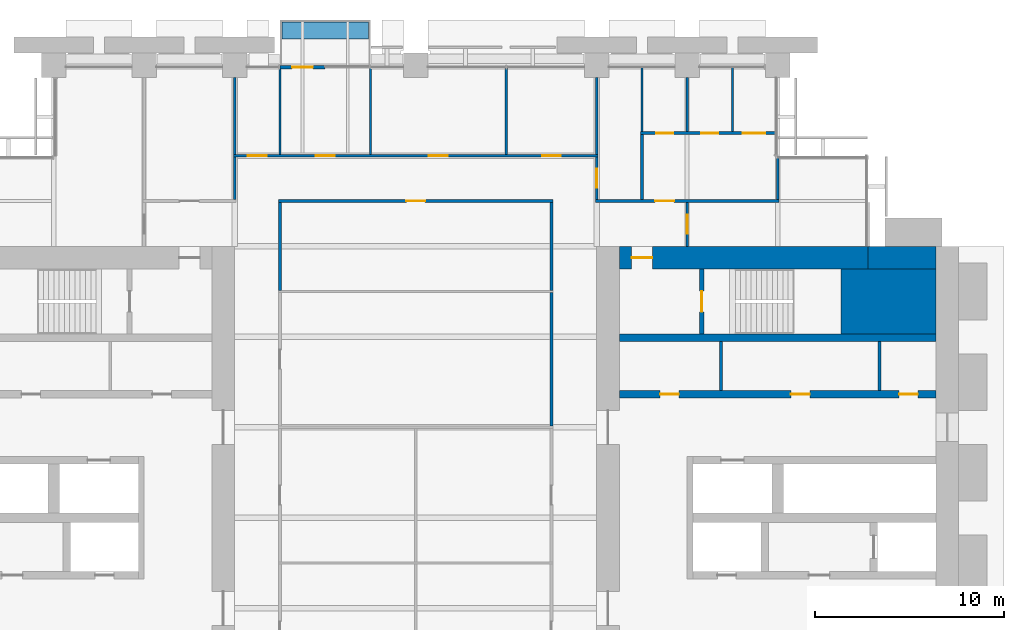
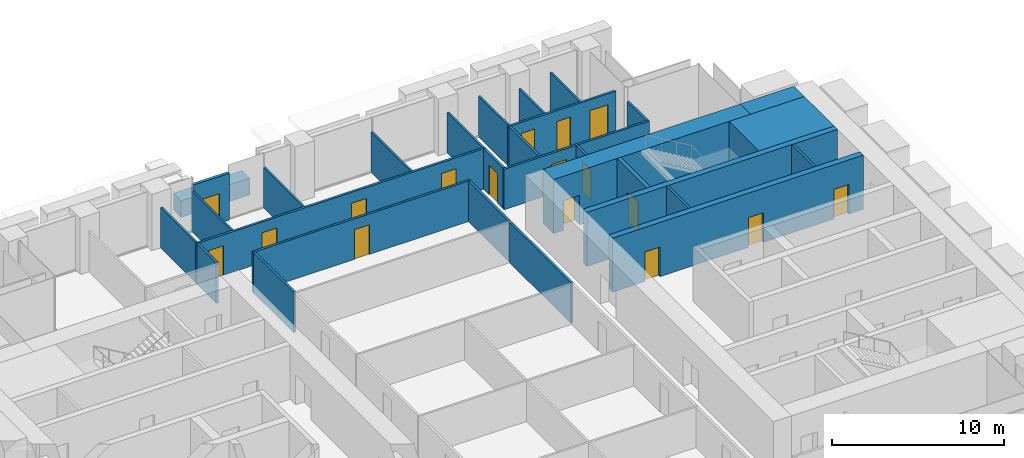
# One storey, part 12 of 15: 30 walls, 17 doors, 17 openings.
"""IFC4 building model written with IfcOpenShell, lengths in metres."""

from ifc_helpers import new_model, si_unit, direction, frame, frame_2d, origin, place, context, subcontext, project, spatial, rectangle, extrude, material, layer, layer_set, type_object, element, fill, save


model = new_model("IFC4")

# Units and contexts
model_context = context("Model", 3, precision=1e-05, world=origin(), true_north=direction((0.0, 1.0)))
body_context = subcontext(model_context, "Body", "Model", "MODEL_VIEW")
ifc_project = project(units=[si_unit("LENGTHUNIT", "METRE"), si_unit("AREAUNIT", "SQUARE_METRE"), si_unit("VOLUMEUNIT", "CUBIC_METRE"), si_unit("PLANEANGLEUNIT", "RADIAN"), si_unit("MASSUNIT", "GRAM", prefix="KILO")], contexts=[model_context])

# Site, building, storey
site_placement = place(None, origin())
site = spatial("IfcSite", under=ifc_project, at=site_placement, CompositionType="ELEMENT")
building_placement = place(site_placement, origin())
building = spatial("IfcBuilding", under=site, at=building_placement, Name="Baori Bourse Tower", CompositionType="ELEMENT")
storey_placement = place(building_placement, frame((0.0, 0.0, 71.0)))
storey = spatial("IfcBuildingStorey", under=building, at=storey_placement, Name="L15", CompositionType="ELEMENT", Elevation=71.0)

# Walls
ifc_material_1 = material(Name="Concrete f'c 70 MPa", Category="concrete")
wall_type_1 = type_object("IfcWallType", Name="Core corner block f'c 70", PredefinedType="SHEAR", material=ifc_material_1)
wall_1_placement = place(storey_placement, frame((51.35009765625, 35.47509765625, 0.0), z_axis=(0.0, 0.0, 1.0), x_axis=(1.0, 0.0, 0.0)))
element("IfcWall", 1, at=wall_1_placement, inside=storey, type_object=wall_type_1, Name="Core wall E21", PredefinedType="SHEAR", context=body_context, shape_type="SweptSolid", body=[
    extrude(rectangle(XDim=5.0498046875, YDim=3.449951171875, at=frame_2d((2.52490234375, 0.0))), origin(), (0.0, 0.0, 1.0), 3.840087890625),
])
ifc_material_2 = material(Name="Blockwork partition", Category="masonry")
ifc_layer_1 = layer(ifc_material_2, 0.14990234375)
ifc_layer_set_1 = layer_set([ifc_layer_1], Name="Core partition 150")
wall_type_2 = type_object("IfcWallType", Name="Core partition 150", PredefinedType="PARTITIONING", material=ifc_layer_set_1)
for number, where, z_axis, x_axis, name in (
    (2, (53.39990234375, 30.75, 0.0), (0.0, 0.0, 1.0), (0.0, 1.0, 0.0), "Partition wall E18"),
    (3, (45.0, 30.75, 0.0), (0.0, 0.0, 1.0), (0.0, 1.0, 0.0), "Partition wall E19"),
):
    element("IfcWall", number, at=place(storey_placement, frame(where, z_axis=z_axis, x_axis=x_axis)), inside=storey, type_object=wall_type_2, Name=name, PredefinedType="PARTITIONING", context=body_context, shape_type="SweptSolid", body=[
        extrude(rectangle(XDim=2.60009765625, YDim=0.14990234375, at=frame_2d((1.300048828125, 0.0))), origin(), (0.0, 0.0, 1.0), 3.840087890625),
    ])
ifc_material_3 = material(Name="Concrete f'c 70 MPa", Category="concrete")
ifc_layer_2 = layer(ifc_material_3, 1.199951171875)
ifc_layer_set_2 = layer_set([ifc_layer_2], Name="Core wall 1200 f'c 70")
wall_type_3 = type_object("IfcWallType", Name="Core wall 1200 f'c 70", PredefinedType="SHEAR", material=ifc_layer_set_2)
wall_2_placement = place(storey_placement, frame((52.800048828125, 37.800048828125, 0.0), z_axis=(0.0, 0.0, 1.0), x_axis=(1.0, 0.0, 0.0)))
element("IfcWall", 4, at=wall_2_placement, inside=storey, type_object=wall_type_3, Name="Core wall E23", PredefinedType="SHEAR", context=body_context, shape_type="SweptSolid", body=[
    extrude(rectangle(XDim=3.599853515625, YDim=1.199951171875, at=frame_2d((1.7998046875, 0.0))), origin(), (0.0, 0.0, 1.0), 3.840087890625),
])

# Wall, opening, door
wall_3_placement = place(storey_placement, frame((39.60009765625, 37.800048828125, 0.0), z_axis=(0.0, 0.0, 1.0), x_axis=(1.0, 0.0, 0.0)))
wall_3 = element("IfcWall", 5, at=wall_3_placement, inside=storey, type_object=wall_type_3, Name="Core wall E24", PredefinedType="SHEAR", context=body_context, shape_type="SweptSolid", body=[
    extrude(rectangle(XDim=13.199951171875, YDim=1.199951171875, at=frame_2d((6.60009765625, 0.0))), origin(), (0.0, 0.0, 1.0), 3.840087890625),
])
opening_1_placement = place(wall_3_placement, frame((0.64990234375, 0.0, 0.0)))
opening_1 = element("IfcOpeningElement", 6, at=opening_1_placement, cuts=wall_3, Name="Opening L15-D204", PredefinedType="OPENING", context=body_context, shape_type="SweptSolid", body=[
    extrude(rectangle(XDim=1.10009765625, YDim=2.10009765625, at=frame_2d((0.550048828125, 1.050048828125))), frame((0.0, 0.60986328125, 0.0), z_axis=(0.0, -1.0, 0.0), x_axis=(1.0, 0.0, 0.0)), (0.0, 0.0, 1.0), 1.219970703125),
])
ifc_material_4 = material(Name="Painted steel door", Category="steel")
door_type_1 = type_object("IfcDoorType", Name="Stair door 1100", OperationType="SINGLE_SWING_LEFT", PredefinedType="DOOR", material=ifc_material_4)
door_1_placement = place(opening_1_placement, origin())
door_1 = element("IfcDoor", 7, at=door_1_placement, inside=storey, type_object=door_type_1, Name="Stair vestibule door B E L15", OperationType="SINGLE_SWING_LEFT", OverallHeight=2.10009765625, OverallWidth=1.10009765625, PredefinedType="DOOR", context=body_context, shape_type="SweptSolid", body=[
    extrude(rectangle(XDim=1.10009765625, YDim=2.10009765625, at=frame_2d((0.550048828125, 1.050048828125))), frame((0.0, 0.02490234375, 0.0), z_axis=(0.0, -1.0, 0.0), x_axis=(1.0, 0.0, 0.0)), (0.0, 0.0, 1.0), 0.050048828125),
])
fill(opening_1, door_1)

ifc_material_5 = material(Name="Gypsum board partition")
ifc_layer_3 = layer(ifc_material_5, 0.14990234375)
ifc_layer_set_3 = layer_set([ifc_layer_3], Name="Corridor partition 150")
wall_type_4 = type_object("IfcWallType", Name="Corridor partition 150", PredefinedType="PARTITIONING", material=ifc_layer_set_3)
wall_4_placement = place(storey_placement, frame((21.52490234375, 40.800048828125, 0.0), z_axis=(0.0, 0.0, 1.0), x_axis=(1.0, 0.0, 0.0)))
wall_4 = element("IfcWall", 8, at=wall_4_placement, inside=storey, type_object=wall_type_4, Name="Partition", PredefinedType="PARTITIONING", context=body_context, shape_type="SweptSolid", body=[
    extrude(rectangle(XDim=14.550048828125, YDim=0.14990234375, at=frame_2d((7.27490234375, 0.0))), origin(), (0.0, 0.0, 1.0), 2.86962890625),
])
opening_2_placement = place(wall_4_placement, frame((6.77490234375, 0.0, 0.0)))
opening_2 = element("IfcOpeningElement", 9, at=opening_2_placement, cuts=wall_4, Name="Opening L15-D08", PredefinedType="OPENING", context=body_context, shape_type="SweptSolid", body=[
    extrude(rectangle(XDim=1.0, YDim=2.10009765625, at=frame_2d((0.5, 1.050048828125))), frame((0.0, 0.0849609375, 0.0), z_axis=(0.0, -1.0, 0.0), x_axis=(1.0, 0.0, 0.0)), (0.0, 0.0, 1.0), 0.169921875),
])
ifc_material_6 = material(Name="Timber door leaf", Category="wood")
door_type_2 = type_object("IfcDoorType", Name="Door 1000 x 2100", OperationType="SINGLE_SWING_LEFT", PredefinedType="DOOR", material=ifc_material_6)
door_2_placement = place(opening_2_placement, origin())
door_2 = element("IfcDoor", 10, at=door_2_placement, inside=storey, type_object=door_type_2, Name="Door", OperationType="SINGLE_SWING_LEFT", OverallHeight=2.10009765625, OverallWidth=1.0, PredefinedType="DOOR", context=body_context, shape_type="SweptSolid", body=[
    extrude(rectangle(XDim=1.0, YDim=2.10009765625, at=frame_2d((0.5, 1.050048828125))), frame((0.0, 0.02490234375, 0.0), z_axis=(0.0, -1.0, 0.0), x_axis=(1.0, 0.0, 0.0)), (0.0, 0.0, 1.0), 0.050048828125),
])
fill(opening_2, door_2)

wall_5_placement = place(storey_placement, frame((38.324951171875, 40.800048828125, 0.0), z_axis=(0.0, 0.0, 1.0), x_axis=(1.0, 0.0, 0.0)))
wall_5 = element("IfcWall", 11, at=wall_5_placement, inside=storey, type_object=wall_type_4, Name="Partition", PredefinedType="PARTITIONING", context=body_context, shape_type="SweptSolid", body=[
    extrude(rectangle(XDim=9.75, YDim=0.14990234375, at=frame_2d((4.875, 0.0))), origin(), (0.0, 0.0, 1.0), 2.86962890625),
])
opening_3_placement = place(wall_5_placement, frame((3.175048828125, 0.0, 0.0)))
opening_3 = element("IfcOpeningElement", 12, at=opening_3_placement, cuts=wall_5, Name="Opening L15-D09", PredefinedType="OPENING", context=body_context, shape_type="SweptSolid", body=[
    extrude(rectangle(XDim=1.0, YDim=2.10009765625, at=frame_2d((0.5, 1.050048828125))), frame((0.0, 0.0849609375, 0.0), z_axis=(0.0, -1.0, 0.0), x_axis=(1.0, 0.0, 0.0)), (0.0, 0.0, 1.0), 0.169921875),
])
door_3_placement = place(opening_3_placement, origin())
door_3 = element("IfcDoor", 13, at=door_3_placement, inside=storey, type_object=door_type_2, Name="Door", OperationType="SINGLE_SWING_LEFT", OverallHeight=2.10009765625, OverallWidth=1.0, PredefinedType="DOOR", context=body_context, shape_type="SweptSolid", body=[
    extrude(rectangle(XDim=1.0, YDim=2.10009765625, at=frame_2d((0.5, 1.050048828125))), frame((0.0, 0.02490234375, 0.0), z_axis=(0.0, -1.0, 0.0), x_axis=(1.0, 0.0, 0.0)), (0.0, 0.0, 1.0), 0.050048828125),
])
fill(opening_3, door_3)

# Wall, openings, doors
wall_6_placement = place(storey_placement, frame((19.125, 43.199951171875, 0.0), z_axis=(0.0, 0.0, 1.0), x_axis=(1.0, 0.0, 0.0)))
wall_6 = element("IfcWall", 14, at=wall_6_placement, inside=storey, type_object=wall_type_4, Name="Partition", PredefinedType="PARTITIONING", context=body_context, shape_type="SweptSolid", body=[
    extrude(rectangle(XDim=19.35009765625, YDim=0.14990234375, at=frame_2d((9.675048828125, 0.0))), origin(), (0.0, 0.0, 1.0), 2.86962890625),
])
opening_4_placement = place(wall_6_placement, frame((0.77490234375, 0.0, 0.0)))
opening_4 = element("IfcOpeningElement", 15, at=opening_4_placement, cuts=wall_6, Name="Opening L15-D10", PredefinedType="OPENING", context=body_context, shape_type="SweptSolid", body=[
    extrude(rectangle(XDim=1.0, YDim=2.10009765625, at=frame_2d((0.5, 1.050048828125))), frame((0.0, 0.0849609375, 0.0), z_axis=(0.0, -1.0, 0.0), x_axis=(1.0, 0.0, 0.0)), (0.0, 0.0, 1.0), 0.169921875),
])
opening_5_placement = place(wall_6_placement, frame((4.375, 0.0, 0.0)))
opening_5 = element("IfcOpeningElement", 16, at=opening_5_placement, cuts=wall_6, Name="Opening L15-D11", PredefinedType="OPENING", context=body_context, shape_type="SweptSolid", body=[
    extrude(rectangle(XDim=1.0, YDim=2.10009765625, at=frame_2d((0.5, 1.050048828125))), frame((0.0, 0.0849609375, 0.0), z_axis=(0.0, -1.0, 0.0), x_axis=(1.0, 0.0, 0.0)), (0.0, 0.0, 1.0), 0.169921875),
])
opening_6_placement = place(wall_6_placement, frame((10.375, 0.0, 0.0)))
opening_6 = element("IfcOpeningElement", 17, at=opening_6_placement, cuts=wall_6, Name="Opening L15-D12", PredefinedType="OPENING", context=body_context, shape_type="SweptSolid", body=[
    extrude(rectangle(XDim=1.0, YDim=2.10009765625, at=frame_2d((0.5, 1.050048828125))), frame((0.0, 0.0849609375, 0.0), z_axis=(0.0, -1.0, 0.0), x_axis=(1.0, 0.0, 0.0)), (0.0, 0.0, 1.0), 0.169921875),
])
opening_7_placement = place(wall_6_placement, frame((16.375, 0.0, 0.0)))
opening_7 = element("IfcOpeningElement", 18, at=opening_7_placement, cuts=wall_6, Name="Opening L15-D13", PredefinedType="OPENING", context=body_context, shape_type="SweptSolid", body=[
    extrude(rectangle(XDim=1.0, YDim=2.10009765625, at=frame_2d((0.5, 1.050048828125))), frame((0.0, 0.0849609375, 0.0), z_axis=(0.0, -1.0, 0.0), x_axis=(1.0, 0.0, 0.0)), (0.0, 0.0, 1.0), 0.169921875),
])
door_4_placement = place(opening_4_placement, origin())
door_4 = element("IfcDoor", 19, at=door_4_placement, inside=storey, type_object=door_type_2, Name="Door", OperationType="SINGLE_SWING_RIGHT", OverallHeight=2.10009765625, OverallWidth=1.0, PredefinedType="DOOR", context=body_context, shape_type="SweptSolid", body=[
    extrude(rectangle(XDim=1.0, YDim=2.10009765625, at=frame_2d((0.5, 1.050048828125))), frame((0.0, 0.02490234375, 0.0), z_axis=(0.0, -1.0, 0.0), x_axis=(1.0, 0.0, 0.0)), (0.0, 0.0, 1.0), 0.050048828125),
])
fill(opening_4, door_4)
door_5_placement = place(opening_5_placement, origin())
door_5 = element("IfcDoor", 20, at=door_5_placement, inside=storey, type_object=door_type_2, Name="Door", OperationType="SINGLE_SWING_RIGHT", OverallHeight=2.10009765625, OverallWidth=1.0, PredefinedType="DOOR", context=body_context, shape_type="SweptSolid", body=[
    extrude(rectangle(XDim=1.0, YDim=2.10009765625, at=frame_2d((0.5, 1.050048828125))), frame((0.0, 0.02490234375, 0.0), z_axis=(0.0, -1.0, 0.0), x_axis=(1.0, 0.0, 0.0)), (0.0, 0.0, 1.0), 0.050048828125),
])
fill(opening_5, door_5)
door_6_placement = place(opening_6_placement, origin())
door_6 = element("IfcDoor", 21, at=door_6_placement, inside=storey, type_object=door_type_2, Name="Door", OperationType="SINGLE_SWING_LEFT", OverallHeight=2.10009765625, OverallWidth=1.0, PredefinedType="DOOR", context=body_context, shape_type="SweptSolid", body=[
    extrude(rectangle(XDim=1.0, YDim=2.10009765625, at=frame_2d((0.5, 1.050048828125))), frame((0.0, 0.02490234375, 0.0), z_axis=(0.0, -1.0, 0.0), x_axis=(1.0, 0.0, 0.0)), (0.0, 0.0, 1.0), 0.050048828125),
])
fill(opening_6, door_6)
door_7_placement = place(opening_7_placement, origin())
door_7 = element("IfcDoor", 22, at=door_7_placement, inside=storey, type_object=door_type_2, Name="Door", OperationType="SINGLE_SWING_LEFT", OverallHeight=2.10009765625, OverallWidth=1.0, PredefinedType="DOOR", context=body_context, shape_type="SweptSolid", body=[
    extrude(rectangle(XDim=1.0, YDim=2.10009765625, at=frame_2d((0.5, 1.050048828125))), frame((0.0, 0.02490234375, 0.0), z_axis=(0.0, -1.0, 0.0), x_axis=(1.0, 0.0, 0.0)), (0.0, 0.0, 1.0), 0.050048828125),
])
fill(opening_7, door_7)

wall_7_placement = place(storey_placement, frame((40.72509765625, 44.39990234375, 0.0), z_axis=(0.0, 0.0, 1.0), x_axis=(1.0, 0.0, 0.0)))
wall_7 = element("IfcWall", 23, at=wall_7_placement, inside=storey, type_object=wall_type_4, Name="Partition", PredefinedType="PARTITIONING", context=body_context, shape_type="SweptSolid", body=[
    extrude(rectangle(XDim=7.1748046875, YDim=0.14990234375, at=frame_2d((3.58740234375, 0.0))), origin(), (0.0, 0.0, 1.0), 2.86962890625),
])
opening_8_placement = place(wall_7_placement, frame((0.824951171875, 0.0, 0.0)))
opening_8 = element("IfcOpeningElement", 24, at=opening_8_placement, cuts=wall_7, Name="Opening L15-D14", PredefinedType="OPENING", context=body_context, shape_type="SweptSolid", body=[
    extrude(rectangle(XDim=0.89990234375, YDim=2.10009765625, at=frame_2d((0.449951171875, 1.050048828125))), frame((0.0, 0.0849609375, 0.0), z_axis=(0.0, -1.0, 0.0), x_axis=(1.0, 0.0, 0.0)), (0.0, 0.0, 1.0), 0.169921875),
])
opening_9_placement = place(wall_7_placement, frame((3.22509765625, 0.0, 0.0)))
opening_9 = element("IfcOpeningElement", 25, at=opening_9_placement, cuts=wall_7, Name="Opening L15-D15", PredefinedType="OPENING", context=body_context, shape_type="SweptSolid", body=[
    extrude(rectangle(XDim=0.89990234375, YDim=2.10009765625, at=frame_2d((0.449951171875, 1.050048828125))), frame((0.0, 0.0849609375, 0.0), z_axis=(0.0, -1.0, 0.0), x_axis=(1.0, 0.0, 0.0)), (0.0, 0.0, 1.0), 0.169921875),
])
opening_10_placement = place(wall_7_placement, frame((5.425048828125, 0.0, 0.0)))
opening_10 = element("IfcOpeningElement", 26, at=opening_10_placement, cuts=wall_7, Name="Opening L15-D16", PredefinedType="OPENING", context=body_context, shape_type="SweptSolid", body=[
    extrude(rectangle(XDim=1.199951171875, YDim=2.10009765625, at=frame_2d((0.60009765625, 1.050048828125))), frame((0.0, 0.0849609375, 0.0), z_axis=(0.0, -1.0, 0.0), x_axis=(1.0, 0.0, 0.0)), (0.0, 0.0, 1.0), 0.169921875),
])
ifc_material_7 = material(Name="Timber door leaf", Category="wood")
door_type_3 = type_object("IfcDoorType", Name="Door 1200 x 2100", OperationType="SINGLE_SWING_LEFT", PredefinedType="DOOR", material=ifc_material_7)
door_8_placement = place(opening_10_placement, origin())
door_8 = element("IfcDoor", 27, at=door_8_placement, inside=storey, type_object=door_type_3, Name="Door", OperationType="SINGLE_SWING_LEFT", OverallHeight=2.10009765625, OverallWidth=1.199951171875, PredefinedType="DOOR", context=body_context, shape_type="SweptSolid", body=[
    extrude(rectangle(XDim=1.199951171875, YDim=2.10009765625, at=frame_2d((0.60009765625, 1.050048828125))), frame((0.0, 0.02490234375, 0.0), z_axis=(0.0, -1.0, 0.0), x_axis=(1.0, 0.0, 0.0)), (0.0, 0.0, 1.0), 0.050048828125),
])
fill(opening_10, door_8)
ifc_material_8 = material(Name="Timber door leaf", Category="wood")
door_type_4 = type_object("IfcDoorType", Name="Door 900 x 2100", OperationType="SINGLE_SWING_LEFT", PredefinedType="DOOR", material=ifc_material_8)
door_9_placement = place(opening_8_placement, origin())
door_9 = element("IfcDoor", 28, at=door_9_placement, inside=storey, type_object=door_type_4, Name="Door", OperationType="SINGLE_SWING_RIGHT", OverallHeight=2.10009765625, OverallWidth=0.89990234375, PredefinedType="DOOR", context=body_context, shape_type="SweptSolid", body=[
    extrude(rectangle(XDim=0.89990234375, YDim=2.10009765625, at=frame_2d((0.449951171875, 1.050048828125))), frame((0.0, 0.02490234375, 0.0), z_axis=(0.0, -1.0, 0.0), x_axis=(1.0, 0.0, 0.0)), (0.0, 0.0, 1.0), 0.050048828125),
])
fill(opening_8, door_9)
door_10_placement = place(opening_9_placement, origin())
door_10 = element("IfcDoor", 29, at=door_10_placement, inside=storey, type_object=door_type_4, Name="Door", OperationType="SINGLE_SWING_LEFT", OverallHeight=2.10009765625, OverallWidth=0.89990234375, PredefinedType="DOOR", context=body_context, shape_type="SweptSolid", body=[
    extrude(rectangle(XDim=0.89990234375, YDim=2.10009765625, at=frame_2d((0.449951171875, 1.050048828125))), frame((0.0, 0.02490234375, 0.0), z_axis=(0.0, -1.0, 0.0), x_axis=(1.0, 0.0, 0.0)), (0.0, 0.0, 1.0), 0.050048828125),
])
fill(opening_9, door_10)

# Walls
wall_8_placement = place(storey_placement, frame((19.199951171875, 40.875, 0.0), z_axis=(0.0, 0.0, 1.0), x_axis=(0.0, 1.0, 0.0)))
element("IfcWall", 30, at=wall_8_placement, inside=storey, type_object=wall_type_4, Name="Partition", PredefinedType="PARTITIONING", context=body_context, shape_type="SweptSolid", body=[
    extrude(rectangle(XDim=2.25, YDim=0.14990234375, at=frame_2d((1.125, 0.0))), origin(), (0.0, 0.0, 1.0), 2.86962890625),
])
wall_9_placement = place(storey_placement, frame((21.60009765625, 36.0625, 0.0), z_axis=(0.0, 0.0, 1.0), x_axis=(0.0, 1.0, 0.0)))
element("IfcWall", 31, at=wall_9_placement, inside=storey, type_object=wall_type_4, Name="Partition", PredefinedType="PARTITIONING", context=body_context, shape_type="SweptSolid", body=[
    extrude(rectangle(XDim=4.66259765625, YDim=0.14990234375, at=frame_2d((2.331298828125, 0.0))), origin(), (0.0, 0.0, 1.0), 2.86962890625),
])
wall_10_placement = place(storey_placement, frame((36.0, 28.862548828125, 0.0), z_axis=(0.0, 0.0, 1.0), x_axis=(0.0, 1.0, 0.0)))
element("IfcWall", 32, at=wall_10_placement, inside=storey, type_object=wall_type_4, Name="Partition", PredefinedType="PARTITIONING", context=body_context, shape_type="SweptSolid", body=[
    extrude(rectangle(XDim=7.074951171875, YDim=0.14990234375, at=frame_2d((3.53759765625, 0.0))), origin(), (0.0, 0.0, 1.0), 2.86962890625),
])
wall_11_placement = place(storey_placement, frame((36.0, 36.0625, 0.0), z_axis=(0.0, 0.0, 1.0), x_axis=(0.0, 1.0, 0.0)))
element("IfcWall", 33, at=wall_11_placement, inside=storey, type_object=wall_type_4, Name="Partition", PredefinedType="PARTITIONING", context=body_context, shape_type="SweptSolid", body=[
    extrude(rectangle(XDim=4.66259765625, YDim=0.14990234375, at=frame_2d((2.331298828125, 0.0))), origin(), (0.0, 0.0, 1.0), 2.86962890625),
])

# Wall, opening, door
wall_12_placement = place(storey_placement, frame((38.39990234375, 40.875, 0.0), z_axis=(0.0, 0.0, 1.0), x_axis=(0.0, 1.0, 0.0)))
wall_12 = element("IfcWall", 34, at=wall_12_placement, inside=storey, type_object=wall_type_4, Name="Partition", PredefinedType="PARTITIONING", context=body_context, shape_type="SweptSolid", body=[
    extrude(rectangle(XDim=2.25, YDim=0.14990234375, at=frame_2d((1.125, 0.0))), origin(), (0.0, 0.0, 1.0), 2.86962890625),
])
opening_11_placement = place(wall_12_placement, frame((0.625, 0.0, 0.0)))
opening_11 = element("IfcOpeningElement", 35, at=opening_11_placement, cuts=wall_12, Name="Opening L15-D26", PredefinedType="OPENING", context=body_context, shape_type="SweptSolid", body=[
    extrude(rectangle(XDim=1.0, YDim=2.10009765625, at=frame_2d((0.5, 1.050048828125))), frame((0.0, 0.0849609375, 0.0), z_axis=(0.0, -1.0, 0.0), x_axis=(1.0, 0.0, 0.0)), (0.0, 0.0, 1.0), 0.169921875),
])
door_11_placement = place(opening_11_placement, origin())
door_11 = element("IfcDoor", 36, at=door_11_placement, inside=storey, type_object=door_type_2, Name="Door", OperationType="SINGLE_SWING_LEFT", OverallHeight=2.10009765625, OverallWidth=1.0, PredefinedType="DOOR", context=body_context, shape_type="SweptSolid", body=[
    extrude(rectangle(XDim=1.0, YDim=2.10009765625, at=frame_2d((0.5, 1.050048828125))), frame((0.0, 0.02490234375, 0.0), z_axis=(0.0, -1.0, 0.0), x_axis=(1.0, 0.0, 0.0)), (0.0, 0.0, 1.0), 0.050048828125),
])
fill(opening_11, door_11)

# Wall
wall_13_placement = place(storey_placement, frame((40.800048828125, 40.875, 0.0), z_axis=(0.0, 0.0, 1.0), x_axis=(0.0, 1.0, 0.0)))
element("IfcWall", 37, at=wall_13_placement, inside=storey, type_object=wall_type_4, Name="Partition", PredefinedType="PARTITIONING", context=body_context, shape_type="SweptSolid", body=[
    extrude(rectangle(XDim=3.449951171875, YDim=0.14990234375, at=frame_2d((1.72509765625, 0.0))), origin(), (0.0, 0.0, 1.0), 2.86962890625),
])

# Wall, opening, door
wall_14_placement = place(storey_placement, frame((43.199951171875, 38.39990234375, 0.0), z_axis=(0.0, 0.0, 1.0), x_axis=(0.0, 1.0, 0.0)))
wall_14 = element("IfcWall", 38, at=wall_14_placement, inside=storey, type_object=wall_type_4, Name="Partition", PredefinedType="PARTITIONING", context=body_context, shape_type="SweptSolid", body=[
    extrude(rectangle(XDim=2.3251953125, YDim=0.14990234375, at=frame_2d((1.16259765625, 0.0))), origin(), (0.0, 0.0, 1.0), 2.86962890625),
])
opening_12_placement = place(wall_14_placement, frame((0.66259765625, 0.0, 0.0)))
opening_12 = element("IfcOpeningElement", 39, at=opening_12_placement, cuts=wall_14, Name="Opening L15-D28", PredefinedType="OPENING", context=body_context, shape_type="SweptSolid", body=[
    extrude(rectangle(XDim=1.0, YDim=2.10009765625, at=frame_2d((0.5, 1.050048828125))), frame((0.0, 0.0849609375, 0.0), z_axis=(0.0, -1.0, 0.0), x_axis=(1.0, 0.0, 0.0)), (0.0, 0.0, 1.0), 0.169921875),
])
door_12_placement = place(opening_12_placement, origin())
door_12 = element("IfcDoor", 40, at=door_12_placement, inside=storey, type_object=door_type_2, Name="Door", OperationType="SINGLE_SWING_LEFT", OverallHeight=2.10009765625, OverallWidth=1.0, PredefinedType="DOOR", context=body_context, shape_type="SweptSolid", body=[
    extrude(rectangle(XDim=1.0, YDim=2.10009765625, at=frame_2d((0.5, 1.050048828125))), frame((0.0, 0.02490234375, 0.0), z_axis=(0.0, -1.0, 0.0), x_axis=(1.0, 0.0, 0.0)), (0.0, 0.0, 1.0), 0.050048828125),
])
fill(opening_12, door_12)

# Wall
wall_15_placement = place(storey_placement, frame((48.0, 40.875, 0.0), z_axis=(0.0, 0.0, 1.0), x_axis=(0.0, 1.0, 0.0)))
element("IfcWall", 41, at=wall_15_placement, inside=storey, type_object=wall_type_4, Name="Partition", PredefinedType="PARTITIONING", context=body_context, shape_type="SweptSolid", body=[
    extrude(rectangle(XDim=2.22509765625, YDim=0.14990234375, at=frame_2d((1.112548828125, 0.0))), origin(), (0.0, 0.0, 1.0), 2.86962890625),
])

# Wall, opening, door
ifc_material_9 = material(Name="Pale anodised aluminium", Category="aluminium")
ifc_layer_4 = layer(ifc_material_9, 0.199951171875)
ifc_layer_set_4 = layer_set([ifc_layer_4], Name="EW1 External wall bay")
wall_type_5 = type_object("IfcWallType", Name="EW1 External wall bay", PredefinedType="SOLIDWALL", material=ifc_layer_set_4)
wall_16_placement = place(storey_placement, frame((24.0, 47.89990234375, 0.0), z_axis=(0.0, 0.0, 1.0), x_axis=(-1.0, 0.0, 0.0)))
wall_16 = element("IfcWall", 42, at=wall_16_placement, inside=storey, type_object=wall_type_5, Name="External wall bay L15 1", PredefinedType="SOLIDWALL", context=body_context, shape_type="SweptSolid", body=[
    extrude(rectangle(XDim=2.39990234375, YDim=0.199951171875, at=frame_2d((1.199951171875, 0.0))), origin(), (0.0, 0.0, 1.0), 3.314208984375),
])
opening_13_placement = place(wall_16_placement, frame((0.64990234375, 0.0, 0.0)))
opening_13 = element("IfcOpeningElement", 43, at=opening_13_placement, cuts=wall_16, Name="Opening L15-D91", PredefinedType="OPENING", context=body_context, shape_type="SweptSolid", body=[
    extrude(rectangle(XDim=1.10009765625, YDim=2.10009765625, at=frame_2d((0.550048828125, 1.050048828125))), frame((0.0, 0.10986328125, 0.0), z_axis=(0.0, -1.0, 0.0), x_axis=(1.0, 0.0, 0.0)), (0.0, 0.0, 1.0), 0.219970703125),
])
ifc_material_10 = material(Name="Pale anodised aluminium", Category="aluminium")
door_type_5 = type_object("IfcDoorType", Name="BL1 Balcony door", OperationType="SINGLE_SWING_LEFT", PredefinedType="DOOR", material=ifc_material_10)
door_13_placement = place(opening_13_placement, origin())
door_13 = element("IfcDoor", 44, at=door_13_placement, inside=storey, type_object=door_type_5, Name="Balcony door L15 1", OperationType="SINGLE_SWING_LEFT", OverallHeight=2.10009765625, OverallWidth=1.10009765625, PredefinedType="DOOR", context=body_context, shape_type="SweptSolid", body=[
    extrude(rectangle(XDim=1.10009765625, YDim=2.10009765625, at=frame_2d((0.550048828125, 1.050048828125))), frame((0.0, 0.02490234375, 0.0), z_axis=(0.0, -1.0, 0.0), x_axis=(1.0, 0.0, 0.0)), (0.0, 0.0, 1.0), 0.050048828125),
])
fill(opening_13, door_13)

# Walls
ifc_material_11 = material(Name="Concrete f'c 40 MPa", Category="concrete")
ifc_layer_5 = layer(ifc_material_11, 0.89990234375)
ifc_layer_set_5 = layer_set([ifc_layer_5], Name="PW1 Planter wall")
wall_type_6 = type_object("IfcWallType", Name="PW1 Planter wall", PredefinedType="USERDEFINED", material=ifc_layer_set_5)
wall_17_placement = place(storey_placement, frame((21.699951171875, 49.85009765625, 0.0), z_axis=(0.0, 0.0, 1.0), x_axis=(1.0, 0.0, 0.0)))
element("IfcWall", 45, at=wall_17_placement, inside=storey, type_object=wall_type_6, Name="Planter balcony N L15 2", ObjectType="PLANTER", PredefinedType="USERDEFINED", context=body_context, shape_type="SweptSolid", body=[
    extrude(rectangle(XDim=4.60009765625, YDim=0.89990234375, at=frame_2d((2.300048828125, 0.0))), origin(), (0.0, 0.0, 1.0), 1.199951171875),
])
ifc_material_12 = material(Name="Gypsum board partition")
ifc_layer_6 = layer(ifc_material_12, 0.125)
ifc_layer_set_6 = layer_set([ifc_layer_6], Name="Partition 125")
wall_type_7 = type_object("IfcWallType", Name="Partition 125", PredefinedType="PARTITIONING", material=ifc_layer_set_6)
wall_18_placement = place(storey_placement, frame((19.199951171875, 43.27490234375, 0.0), z_axis=(0.0, 0.0, 1.0), x_axis=(0.0, 1.0, 0.0)))
element("IfcWall", 46, at=wall_18_placement, inside=storey, type_object=wall_type_7, Name="Partition", PredefinedType="PARTITIONING", context=body_context, shape_type="SweptSolid", body=[
    extrude(rectangle(XDim=4.0751953125, YDim=0.125, at=frame_2d((2.03759765625, 0.0))), origin(), (0.0, 0.0, 1.0), 2.86962890625),
])
for number, where, z_axis, x_axis, name in (
    (47, (21.60009765625, 43.27490234375, 0.0), (0.0, 0.0, 1.0), (0.0, 1.0, 0.0), "Partition"),
    (48, (26.39990234375, 43.27490234375, 0.0), (0.0, 0.0, 1.0), (0.0, 1.0, 0.0), "Partition"),
    (49, (33.60009765625, 43.27490234375, 0.0), (0.0, 0.0, 1.0), (0.0, 1.0, 0.0), "Partition"),
):
    element("IfcWall", number, at=place(storey_placement, frame(where, z_axis=z_axis, x_axis=x_axis)), inside=storey, type_object=wall_type_7, Name=name, PredefinedType="PARTITIONING", context=body_context, shape_type="SweptSolid", body=[
        extrude(rectangle(XDim=4.625, YDim=0.125, at=frame_2d((2.3125, 0.0))), origin(), (0.0, 0.0, 1.0), 2.86962890625),
    ])
wall_19_placement = place(storey_placement, frame((38.39990234375, 43.27490234375, 0.0), z_axis=(0.0, 0.0, 1.0), x_axis=(0.0, 1.0, 0.0)))
element("IfcWall", 50, at=wall_19_placement, inside=storey, type_object=wall_type_7, Name="Partition", PredefinedType="PARTITIONING", context=body_context, shape_type="SweptSolid", body=[
    extrude(rectangle(XDim=4.0751953125, YDim=0.125, at=frame_2d((2.03759765625, 0.0))), origin(), (0.0, 0.0, 1.0), 2.86962890625),
])
wall_20_placement = place(storey_placement, frame((40.800048828125, 44.47509765625, 0.0), z_axis=(0.0, 0.0, 1.0), x_axis=(0.0, 1.0, 0.0)))
element("IfcWall", 51, at=wall_20_placement, inside=storey, type_object=wall_type_7, Name="Partition", PredefinedType="PARTITIONING", context=body_context, shape_type="SweptSolid", body=[
    extrude(rectangle(XDim=3.4248046875, YDim=0.125, at=frame_2d((1.71240234375, 0.0))), origin(), (0.0, 0.0, 1.0), 2.86962890625),
])
wall_21_placement = place(storey_placement, frame((43.199951171875, 44.47509765625, 0.0), z_axis=(0.0, 0.0, 1.0), x_axis=(0.0, 1.0, 0.0)))
element("IfcWall", 52, at=wall_21_placement, inside=storey, type_object=wall_type_7, Name="Partition", PredefinedType="PARTITIONING", context=body_context, shape_type="SweptSolid", body=[
    extrude(rectangle(XDim=2.875, YDim=0.125, at=frame_2d((1.4375, 0.0))), origin(), (0.0, 0.0, 1.0), 2.86962890625),
])
wall_22_placement = place(storey_placement, frame((45.60009765625, 44.47509765625, 0.0), z_axis=(0.0, 0.0, 1.0), x_axis=(0.0, 1.0, 0.0)))
element("IfcWall", 53, at=wall_22_placement, inside=storey, type_object=wall_type_7, Name="Partition", PredefinedType="PARTITIONING", context=body_context, shape_type="SweptSolid", body=[
    extrude(rectangle(XDim=3.4248046875, YDim=0.125, at=frame_2d((1.71240234375, 0.0))), origin(), (0.0, 0.0, 1.0), 2.86962890625),
])

# Wall, opening, door
ifc_material_13 = material(Name="Concrete f'c 70 MPa", Category="concrete")
ifc_layer_7 = layer(ifc_material_13, 0.25)
ifc_layer_set_7 = layer_set([ifc_layer_7], Name="Shaft wall 250 f'c 70")
wall_type_8 = type_object("IfcWallType", Name="Shaft wall 250 f'c 70", PredefinedType="SHEAR", material=ifc_layer_set_7)
wall_23_placement = place(storey_placement, frame((43.97509765625, 33.75, 0.0), z_axis=(0.0, 0.0, 1.0), x_axis=(0.0, 1.0, 0.0)))
wall_23 = element("IfcWall", 54, at=wall_23_placement, inside=storey, type_object=wall_type_8, Name="Core wall E22", PredefinedType="SHEAR", context=body_context, shape_type="SweptSolid", body=[
    extrude(rectangle(XDim=3.449951171875, YDim=0.25, at=frame_2d((1.72509765625, 0.0))), origin(), (0.0, 0.0, 1.0), 3.840087890625),
])
opening_14_placement = place(wall_23_placement, frame((1.175048828125, 0.0, 0.0)))
opening_14 = element("IfcOpeningElement", 55, at=opening_14_placement, cuts=wall_23, Name="Opening L15-D203", PredefinedType="OPENING", context=body_context, shape_type="SweptSolid", body=[
    extrude(rectangle(XDim=1.10009765625, YDim=2.10009765625, at=frame_2d((0.550048828125, 1.050048828125))), frame((0.0, 0.135009765625, 0.0), z_axis=(0.0, -1.0, 0.0), x_axis=(1.0, 0.0, 0.0)), (0.0, 0.0, 1.0), 0.27001953125),
])
door_14_placement = place(opening_14_placement, origin())
door_14 = element("IfcDoor", 56, at=door_14_placement, inside=storey, type_object=door_type_1, Name="Stair door B E L15", OperationType="SINGLE_SWING_LEFT", OverallHeight=2.10009765625, OverallWidth=1.10009765625, PredefinedType="DOOR", context=body_context, shape_type="SweptSolid", body=[
    extrude(rectangle(XDim=1.10009765625, YDim=2.10009765625, at=frame_2d((0.550048828125, 1.050048828125))), frame((0.0, 0.02490234375, 0.0), z_axis=(0.0, -1.0, 0.0), x_axis=(1.0, 0.0, 0.0)), (0.0, 0.0, 1.0), 0.050048828125),
])
fill(opening_14, door_14)

# Wall, openings, doors
ifc_material_14 = material(Name="Concrete f'c 70 MPa", Category="concrete")
ifc_layer_8 = layer(ifc_material_14, 0.39990234375)
ifc_layer_set_8 = layer_set([ifc_layer_8], Name="Shaft wall 400 f'c 70")
wall_type_9 = type_object("IfcWallType", Name="Shaft wall 400 f'c 70", PredefinedType="SHEAR", material=ifc_layer_set_8)
wall_24_placement = place(storey_placement, frame((39.60009765625, 30.550048828125, 0.0), z_axis=(0.0, 0.0, 1.0), x_axis=(1.0, 0.0, 0.0)))
wall_24 = element("IfcWall", 57, at=wall_24_placement, inside=storey, type_object=wall_type_9, Name="Core wall E17", PredefinedType="SHEAR", context=body_context, shape_type="SweptSolid", body=[
    extrude(rectangle(XDim=16.7998046875, YDim=0.39990234375, at=frame_2d((8.39990234375, 0.0))), origin(), (0.0, 0.0, 1.0), 3.840087890625),
])
opening_15_placement = place(wall_24_placement, frame((14.83740234375, 0.0, 0.0)))
opening_15 = element("IfcOpeningElement", 58, at=opening_15_placement, cuts=wall_24, Name="Opening L15-D209", PredefinedType="OPENING", context=body_context, shape_type="SweptSolid", body=[
    extrude(rectangle(XDim=1.0, YDim=2.10009765625, at=frame_2d((0.5, 1.050048828125))), frame((0.0, 0.2099609375, 0.0), z_axis=(0.0, -1.0, 0.0), x_axis=(1.0, 0.0, 0.0)), (0.0, 0.0, 1.0), 0.419921875),
])
opening_16_placement = place(wall_24_placement, frame((9.10009765625, 0.0, 0.0)))
opening_16 = element("IfcOpeningElement", 59, at=opening_16_placement, cuts=wall_24, Name="Opening L15-D210", PredefinedType="OPENING", context=body_context, shape_type="SweptSolid", body=[
    extrude(rectangle(XDim=1.0, YDim=2.10009765625, at=frame_2d((0.5, 1.050048828125))), frame((0.0, 0.2099609375, 0.0), z_axis=(0.0, -1.0, 0.0), x_axis=(1.0, 0.0, 0.0)), (0.0, 0.0, 1.0), 0.419921875),
])
opening_17_placement = place(wall_24_placement, frame((2.16259765625, 0.0, 0.0)))
opening_17 = element("IfcOpeningElement", 60, at=opening_17_placement, cuts=wall_24, Name="Opening L15-D211", PredefinedType="OPENING", context=body_context, shape_type="SweptSolid", body=[
    extrude(rectangle(XDim=1.0, YDim=2.10009765625, at=frame_2d((0.5, 1.050048828125))), frame((0.0, 0.2099609375, 0.0), z_axis=(0.0, -1.0, 0.0), x_axis=(1.0, 0.0, 0.0)), (0.0, 0.0, 1.0), 0.419921875),
])
ifc_material_15 = material(Name="Painted steel door", Category="steel")
door_type_6 = type_object("IfcDoorType", Name="Core door 1000", OperationType="SINGLE_SWING_LEFT", PredefinedType="DOOR", material=ifc_material_15)
door_15_placement = place(opening_15_placement, origin())
door_15 = element("IfcDoor", 61, at=door_15_placement, inside=storey, type_object=door_type_6, Name="Accessible Wc door E L15", OperationType="SINGLE_SWING_LEFT", OverallHeight=2.10009765625, OverallWidth=1.0, PredefinedType="DOOR", context=body_context, shape_type="SweptSolid", body=[
    extrude(rectangle(XDim=1.0, YDim=2.10009765625, at=frame_2d((0.5, 1.050048828125))), frame((0.0, 0.02490234375, 0.0), z_axis=(0.0, -1.0, 0.0), x_axis=(1.0, 0.0, 0.0)), (0.0, 0.0, 1.0), 0.050048828125),
])
fill(opening_15, door_15)
door_16_placement = place(opening_16_placement, origin())
door_16 = element("IfcDoor", 62, at=door_16_placement, inside=storey, type_object=door_type_6, Name="Men'S Wc door E L15", OperationType="SINGLE_SWING_LEFT", OverallHeight=2.10009765625, OverallWidth=1.0, PredefinedType="DOOR", context=body_context, shape_type="SweptSolid", body=[
    extrude(rectangle(XDim=1.0, YDim=2.10009765625, at=frame_2d((0.5, 1.050048828125))), frame((0.0, 0.02490234375, 0.0), z_axis=(0.0, -1.0, 0.0), x_axis=(1.0, 0.0, 0.0)), (0.0, 0.0, 1.0), 0.050048828125),
])
fill(opening_16, door_16)
door_17_placement = place(opening_17_placement, origin())
door_17 = element("IfcDoor", 63, at=door_17_placement, inside=storey, type_object=door_type_6, Name="Women'S Wc door E L15", OperationType="SINGLE_SWING_LEFT", OverallHeight=2.10009765625, OverallWidth=1.0, PredefinedType="DOOR", context=body_context, shape_type="SweptSolid", body=[
    extrude(rectangle(XDim=1.0, YDim=2.10009765625, at=frame_2d((0.5, 1.050048828125))), frame((0.0, 0.02490234375, 0.0), z_axis=(0.0, -1.0, 0.0), x_axis=(1.0, 0.0, 0.0)), (0.0, 0.0, 1.0), 0.050048828125),
])
fill(opening_17, door_17)

# Wall
wall_25_placement = place(storey_placement, frame((39.60009765625, 33.550048828125, 0.0), z_axis=(0.0, 0.0, 1.0), x_axis=(1.0, 0.0, 0.0)))
element("IfcWall", 64, at=wall_25_placement, inside=storey, type_object=wall_type_9, Name="Core wall E20", PredefinedType="SHEAR", context=body_context, shape_type="SweptSolid", body=[
    extrude(rectangle(XDim=16.7998046875, YDim=0.39990234375, at=frame_2d((8.39990234375, 0.0))), origin(), (0.0, 0.0, 1.0), 3.840087890625),
])

save(model, "model.ifc")
